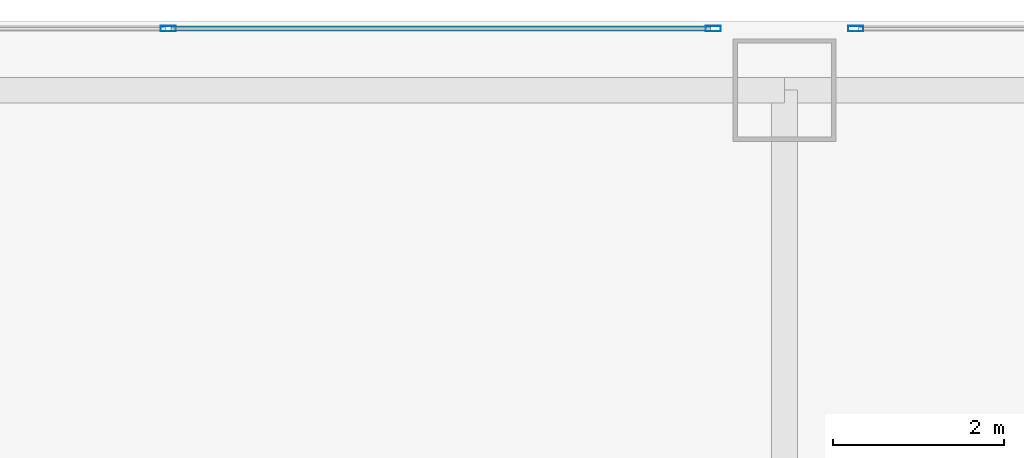
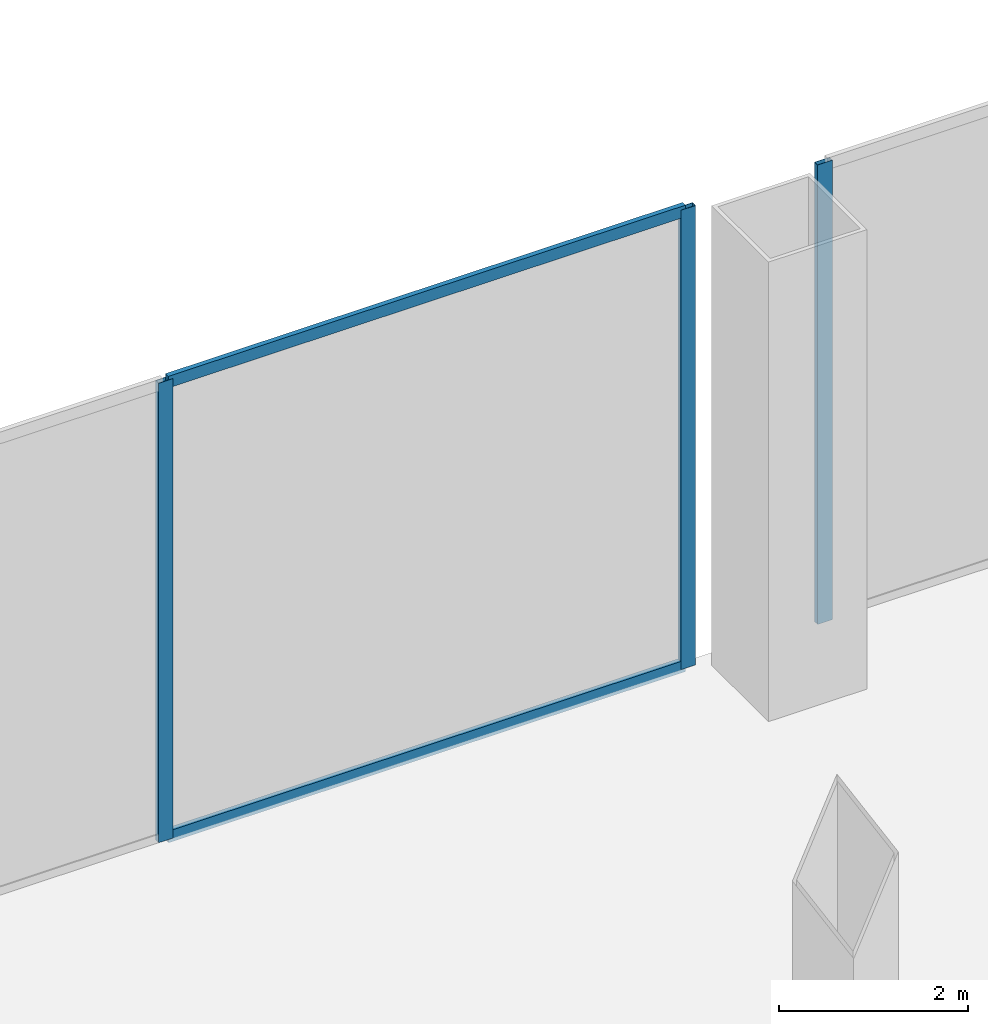
# One storey, part 20 of 41: 5 members, 2 elements without a shape of their own.
"""IFC4 building model written with IfcOpenShell, lengths in metres."""

from ifc_helpers import new_model, si_unit, direction, frame, origin, origin_2d, place, context, subcontext, project, spatial, hollow_rectangle, extrude, source, transform, mapped, material, layer, layer_set, material_profile, profile_set, type_object, element, aggregate, save


model = new_model("IFC4")

# Units and contexts
model_context = context("Model", 3, precision=1e-05, world=origin(), true_north=direction((0.0, 1.0)))
body_context = subcontext(model_context, "Body", "Model", "MODEL_VIEW")
ifc_project = project(units=[si_unit("LENGTHUNIT", "METRE"), si_unit("AREAUNIT", "SQUARE_METRE"), si_unit("VOLUMEUNIT", "CUBIC_METRE"), si_unit("PLANEANGLEUNIT", "RADIAN"), si_unit("MASSUNIT", "GRAM", prefix="KILO"), si_unit("THERMODYNAMICTEMPERATUREUNIT", "KELVIN"), si_unit("POWERUNIT", "WATT")], contexts=[model_context])

# Site, building, storey
site_placement = place(None, origin())
site = spatial("IfcSite", under=ifc_project, at=site_placement, CompositionType="ELEMENT")
building_placement = place(site_placement, origin())
building = spatial("IfcBuilding", under=site, at=building_placement, Name="Yunzhuo Pagoda Commons", CompositionType="ELEMENT")
storey_placement = place(building_placement, frame((0.0, 0.0, 19.199951171875)))
storey = spatial("IfcBuildingStorey", under=building, at=storey_placement, Name="L05", CompositionType="ELEMENT", Elevation=19.199951171875)

# Curtain wall, members
ifc_material = material(Name="Anodized aluminium 6063-T6", Category="aluminium")
ifc_layer = layer(ifc_material, 0.179931640625)
ifc_layer_set = layer_set([ifc_layer], Name="Anodized aluminium 6063-T6")
curtain_wall_type = type_object("IfcCurtainWallType", Name="CW-POD Waterfront Podium Curtain Wall", PredefinedType="NOTDEFINED", material=ifc_layer_set)
curtain_wall_1_placement = place(storey_placement, origin())
curtain_wall_1 = element("IfcCurtainWall", 1, at=curtain_wall_1_placement, inside=storey, type_object=curtain_wall_type, Name="L05 curtain wall CW-L05-N2", PredefinedType="NOTDEFINED")
ifc_material_profile_1 = material_profile(ifc_material, hollow_rectangle(XDim=0.06005859375, YDim=0.14990234375, WallThickness=0.00390625, at=origin_2d()), Name="Anodized aluminium 6063-T6")
ifc_profile_set_1 = profile_set([ifc_material_profile_1], Name="Anodized aluminium 6063-T6")
member_type_1 = type_object("IfcMemberType", Name="CW-POD-T Transom RHS 150x60x4", PredefinedType="USERDEFINED", material=ifc_profile_set_1)
shared_shape_1 = source(origin(), body_context, "Body", "SweptSolid", [
    extrude(hollow_rectangle(XDim=0.06005859375, YDim=0.14990234375, WallThickness=0.00390625, at=origin_2d()), origin(), (0.0, 0.0, 1.0), 6.302490234375),
])
member_1_placement = place(storey_placement, frame((26.4326171875, 81.919921875, 0.0302734375), z_axis=(1.0, 0.0, 0.0), x_axis=(0.0, 1.0, 0.0)))
member_1 = element("IfcMember", 2, at=member_1_placement, type_object=member_type_1, Name="CW transom 2.1", ObjectType="TRANSOM", PredefinedType="USERDEFINED", context=body_context, shape_type="MappedRepresentation", body=[
    mapped(shared_shape_1, transform((0.0, 0.0, 0.0), scale=1.0)),
])
member_2_placement = place(storey_placement, frame((26.4326171875, 81.919921875, 5.89013671875), z_axis=(1.0, 0.0, 0.0), x_axis=(0.0, 1.0, 0.0)))
member_2 = element("IfcMember", 3, at=member_2_placement, type_object=member_type_1, Name="CW transom 2.2", ObjectType="TRANSOM", PredefinedType="USERDEFINED", context=body_context, shape_type="MappedRepresentation", body=[
    mapped(shared_shape_1, transform((0.0, 0.0, 0.0), scale=1.0)),
])
ifc_material_profile_2 = material_profile(ifc_material, hollow_rectangle(XDim=0.06494140625, YDim=0.179931640625, WallThickness=0.00390625, at=origin_2d()), Name="Anodized aluminium 6063-T6")
ifc_profile_set_2 = profile_set([ifc_material_profile_2], Name="Anodized aluminium 6063-T6")
member_type_2 = type_object("IfcMemberType", Name="CW-POD-M Mullion RHS 180x65x4", PredefinedType="MULLION", material=ifc_profile_set_2)
shared_shape_2 = source(origin(), body_context, "Body", "SweptSolid", [
    extrude(hollow_rectangle(XDim=0.06494140625, YDim=0.179931640625, WallThickness=0.00390625, at=origin_2d()), origin(), (0.0, 0.0, 1.0), 5.920166015625),
])
member_3_placement = place(storey_placement, frame((26.39990234375, 81.919921875, 0.0), z_axis=(0.0, 0.0, 1.0), x_axis=(0.0, 1.0, 0.0)))
member_3 = element("IfcMember", 4, at=member_3_placement, type_object=member_type_2, Name="CW mullion 2", PredefinedType="MULLION", context=body_context, shape_type="MappedRepresentation", body=[
    mapped(shared_shape_2, transform((0.0, 0.0, 0.0), scale=1.0)),
])
member_4_placement = place(storey_placement, frame((32.767578125, 81.919921875, 0.0), z_axis=(0.0, 0.0, 1.0), x_axis=(0.0, 1.0, 0.0)))
member_4 = element("IfcMember", 5, at=member_4_placement, type_object=member_type_2, Name="CW mullion 3", PredefinedType="MULLION", context=body_context, shape_type="MappedRepresentation", body=[
    mapped(shared_shape_2, transform((0.0, 0.0, 0.0), scale=1.0)),
])
aggregate(curtain_wall_1, [member_3, member_4, member_1, member_2])

# Curtain wall, member
curtain_wall_2_placement = place(storey_placement, origin())
curtain_wall_2 = element("IfcCurtainWall", 6, at=curtain_wall_2_placement, inside=storey, type_object=curtain_wall_type, Name="L05 curtain wall CW-L05-N3", PredefinedType="NOTDEFINED")
member_5_placement = place(storey_placement, frame((34.4326171875, 81.919921875, 0.0), z_axis=(0.0, 0.0, 1.0), x_axis=(0.0, 1.0, 0.0)))
member_5 = element("IfcMember", 7, at=member_5_placement, type_object=member_type_2, Name="CW mullion 1", PredefinedType="MULLION", context=body_context, shape_type="MappedRepresentation", body=[
    mapped(shared_shape_2, transform((0.0, 0.0, 0.0), scale=1.0)),
])
aggregate(curtain_wall_2, [member_5])

save(model, "model.ifc")
